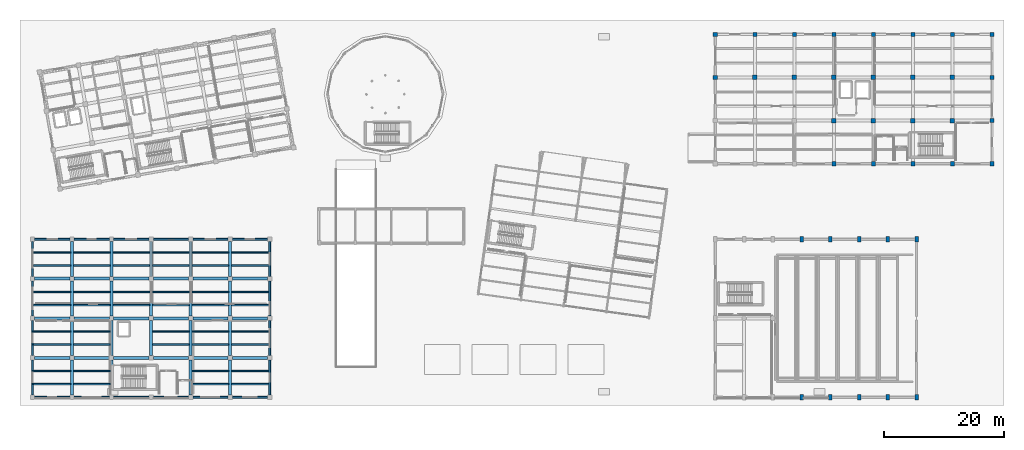
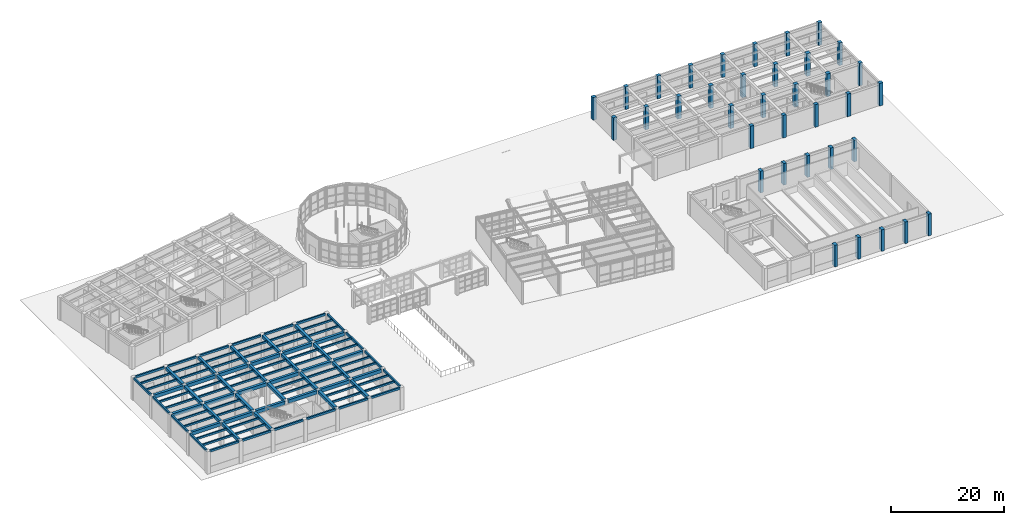
# One storey, part 10 of 57: 99 beams, 36 columns.
"""IFC4 building model written with IfcOpenShell, lengths in metres."""

from ifc_helpers import new_model, si_unit, direction, frame, origin, origin_2d, place, context, subcontext, project, spatial, rectangle, extrude, material, material_profile, profile_set, type_object, element, save


model = new_model("IFC4")

# Units and contexts
model_context = context("Model", 3, precision=1e-05, world=origin(), true_north=direction((0.0, 1.0)))
body_context = subcontext(model_context, "Body", "Model", "MODEL_VIEW")
ifc_project = project(units=[si_unit("LENGTHUNIT", "METRE"), si_unit("AREAUNIT", "SQUARE_METRE"), si_unit("VOLUMEUNIT", "CUBIC_METRE"), si_unit("PLANEANGLEUNIT", "RADIAN"), si_unit("MASSUNIT", "GRAM", prefix="KILO")], contexts=[model_context])

# Site, building, storey
site_placement = place(None, origin())
site = spatial("IfcSite", under=ifc_project, at=site_placement, CompositionType="ELEMENT")
building_placement = place(site_placement, origin())
building = spatial("IfcBuilding", under=site, at=building_placement, Name="Kharisveld Research Institute", CompositionType="ELEMENT")
storey_placement = place(building_placement, origin())
storey = spatial("IfcBuildingStorey", under=building, at=storey_placement, Name="L00", CompositionType="ELEMENT", Elevation=0.0)

# Columns
ifc_material_1 = material(Name="Concrete C40/50", Category="concrete")
ifc_material_profile_1 = material_profile(ifc_material_1, rectangle(XDim=0.60009765625, YDim=0.89990234375, at=origin_2d()))
ifc_profile_set_1 = profile_set([ifc_material_profile_1], Name="Concrete C40/50")
column_type_1 = type_object("IfcColumnType", Name="COL_RC_600x900", PredefinedType="COLUMN", material=ifc_profile_set_1)
for number, where, z_axis, x_axis, name in (
    (1, (129.0, 0.199951171875, 0.0), (0.0, 0.0, 1.0), (1.0, 0.0, 0.0), "COL:V5:L00:U3V0"),
    (2, (129.0, 26.60009765625, 0.0), (0.0, 0.0, 1.0), (1.0, 0.0, 0.0), "COL:V5:L00:U3V2"),
    (3, (133.800048828125, 0.199951171875, 0.0), (0.0, 0.0, 1.0), (1.0, 0.0, 0.0), "COL:V5:L00:U4V0"),
    (4, (133.800048828125, 26.60009765625, 0.0), (0.0, 0.0, 1.0), (1.0, 0.0, 0.0), "COL:V5:L00:U4V2"),
    (5, (138.60009765625, 0.199951171875, 0.0), (0.0, 0.0, 1.0), (1.0, 0.0, 0.0), "COL:V5:L00:U5V0"),
    (6, (138.60009765625, 26.60009765625, 0.0), (0.0, 0.0, 1.0), (1.0, 0.0, 0.0), "COL:V5:L00:U5V2"),
    (7, (143.39990234375, 0.199951171875, 0.0), (0.0, 0.0, 1.0), (1.0, 0.0, 0.0), "COL:V5:L00:U6V0"),
    (8, (143.39990234375, 26.60009765625, 0.0), (0.0, 0.0, 1.0), (1.0, 0.0, 0.0), "COL:V5:L00:U6V2"),
    (9, (148.199951171875, 0.199951171875, 0.0), (0.0, 0.0, 1.0), (1.0, 0.0, 0.0), "COL:V5:L00:U7V0"),
    (10, (148.199951171875, 26.60009765625, 0.0), (0.0, 0.0, 1.0), (1.0, 0.0, 0.0), "COL:V5:L00:U7V2"),
):
    element("IfcColumn", number, at=place(storey_placement, frame(where, z_axis=z_axis, x_axis=x_axis)), inside=storey, type_object=column_type_1, Name=name, PredefinedType="COLUMN", context=body_context, shape_type="SweptSolid", body=[
        extrude(rectangle(XDim=0.60009765625, YDim=0.89990234375, at=origin_2d()), origin(), (0.0, 0.0, 1.0), 4.679931640625),
    ])
ifc_material_2 = material(Name="Concrete C40/50", Category="concrete")
ifc_material_profile_2 = material_profile(ifc_material_2, rectangle(XDim=0.699951171875, YDim=0.699951171875, at=origin_2d()))
ifc_profile_set_2 = profile_set([ifc_material_profile_2], Name="Concrete C40/50")
column_type_2 = type_object("IfcColumnType", Name="COL_RC_700", PredefinedType="COLUMN", material=ifc_profile_set_2)
for number, where, z_axis, x_axis, name in (
    (11, (114.60009765625, 53.60009765625, 0.0), (0.0, 0.0, 1.0), (1.0, 0.0, 0.0), "COL:V2:L00:U0V2"),
    (12, (114.60009765625, 60.800048828125, 0.0), (0.0, 0.0, 1.0), (1.0, 0.0, 0.0), "COL:V2:L00:U0V3"),
    (13, (121.199951171875, 60.800048828125, 0.0), (0.0, 0.0, 1.0), (1.0, 0.0, 0.0), "COL:V2:L00:U1V3"),
    (14, (127.800048828125, 60.800048828125, 0.0), (0.0, 0.0, 1.0), (1.0, 0.0, 0.0), "COL:V2:L00:U2V3"),
    (15, (134.39990234375, 39.199951171875, 0.0), (0.0, 0.0, 1.0), (1.0, 0.0, 0.0), "COL:V2:L00:U3V0"),
    (16, (134.39990234375, 60.800048828125, 0.0), (0.0, 0.0, 1.0), (1.0, 0.0, 0.0), "COL:V2:L00:U3V3"),
    (17, (141.0, 39.199951171875, 0.0), (0.0, 0.0, 1.0), (1.0, 0.0, 0.0), "COL:V2:L00:U4V0"),
    (18, (141.0, 60.800048828125, 0.0), (0.0, 0.0, 1.0), (1.0, 0.0, 0.0), "COL:V2:L00:U4V3"),
    (19, (147.60009765625, 39.199951171875, 0.0), (0.0, 0.0, 1.0), (1.0, 0.0, 0.0), "COL:V2:L00:U5V0"),
    (20, (147.60009765625, 60.800048828125, 0.0), (0.0, 0.0, 1.0), (1.0, 0.0, 0.0), "COL:V2:L00:U5V3"),
    (21, (154.199951171875, 39.199951171875, 0.0), (0.0, 0.0, 1.0), (1.0, 0.0, 0.0), "COL:V2:L00:U6V0"),
    (22, (154.199951171875, 60.800048828125, 0.0), (0.0, 0.0, 1.0), (1.0, 0.0, 0.0), "COL:V2:L00:U6V3"),
    (23, (160.800048828125, 39.199951171875, 0.0), (0.0, 0.0, 1.0), (1.0, 0.0, 0.0), "COL:V2:L00:U7V0"),
    (24, (160.800048828125, 46.39990234375, 0.0), (0.0, 0.0, 1.0), (1.0, 0.0, 0.0), "COL:V2:L00:U7V1"),
    (25, (160.800048828125, 53.60009765625, 0.0), (0.0, 0.0, 1.0), (1.0, 0.0, 0.0), "COL:V2:L00:U7V2"),
    (26, (160.800048828125, 60.800048828125, 0.0), (0.0, 0.0, 1.0), (1.0, 0.0, 0.0), "COL:V2:L00:U7V3"),
):
    element("IfcColumn", number, at=place(storey_placement, frame(where, z_axis=z_axis, x_axis=x_axis)), inside=storey, type_object=column_type_2, Name=name, PredefinedType="COLUMN", context=body_context, shape_type="SweptSolid", body=[
        extrude(rectangle(XDim=0.699951171875, YDim=0.699951171875, at=origin_2d()), origin(), (0.0, 0.0, 1.0), 4.89990234375),
    ])
ifc_material_3 = material(Name="Concrete C50/60", Category="concrete")
ifc_material_profile_3 = material_profile(ifc_material_3, rectangle(XDim=0.75, YDim=0.75, at=origin_2d()))
ifc_profile_set_3 = profile_set([ifc_material_profile_3], Name="Concrete C50/60")
column_type_3 = type_object("IfcColumnType", Name="COL_RC_750", PredefinedType="COLUMN", material=ifc_profile_set_3)
for number, where, z_axis, x_axis, name in (
    (27, (121.199951171875, 53.60009765625, 0.0), (0.0, 0.0, 1.0), (1.0, 0.0, 0.0), "COL:V2:L00:U1V2"),
    (28, (127.800048828125, 53.60009765625, 0.0), (0.0, 0.0, 1.0), (1.0, 0.0, 0.0), "COL:V2:L00:U2V2"),
    (29, (134.39990234375, 46.39990234375, 0.0), (0.0, 0.0, 1.0), (1.0, 0.0, 0.0), "COL:V2:L00:U3V1"),
    (30, (134.39990234375, 53.60009765625, 0.0), (0.0, 0.0, 1.0), (1.0, 0.0, 0.0), "COL:V2:L00:U3V2"),
    (31, (141.0, 46.39990234375, 0.0), (0.0, 0.0, 1.0), (1.0, 0.0, 0.0), "COL:V2:L00:U4V1"),
    (32, (141.0, 53.60009765625, 0.0), (0.0, 0.0, 1.0), (1.0, 0.0, 0.0), "COL:V2:L00:U4V2"),
    (33, (147.60009765625, 46.39990234375, 0.0), (0.0, 0.0, 1.0), (1.0, 0.0, 0.0), "COL:V2:L00:U5V1"),
    (34, (147.60009765625, 53.60009765625, 0.0), (0.0, 0.0, 1.0), (1.0, 0.0, 0.0), "COL:V2:L00:U5V2"),
    (35, (154.199951171875, 46.39990234375, 0.0), (0.0, 0.0, 1.0), (1.0, 0.0, 0.0), "COL:V2:L00:U6V1"),
    (36, (154.199951171875, 53.60009765625, 0.0), (0.0, 0.0, 1.0), (1.0, 0.0, 0.0), "COL:V2:L00:U6V2"),
):
    element("IfcColumn", number, at=place(storey_placement, frame(where, z_axis=z_axis, x_axis=x_axis)), inside=storey, type_object=column_type_3, Name=name, PredefinedType="COLUMN", context=body_context, shape_type="SweptSolid", body=[
        extrude(rectangle(XDim=0.75, YDim=0.75, at=origin_2d()), origin(), (0.0, 0.0, 1.0), 4.89990234375),
    ])

# Beams
ifc_material_4 = material(Name="Concrete C40/50", Category="concrete")
ifc_material_profile_4 = material_profile(ifc_material_4, rectangle(XDim=0.5, YDim=0.64990234375, at=origin_2d()))
ifc_profile_set_4 = profile_set([ifc_material_profile_4], Name="Concrete C40/50")
beam_type_1 = type_object("IfcBeamType", Name="BM_RC_500x650", PredefinedType="BEAM", material=ifc_profile_set_4)
beam_1_placement = place(storey_placement, frame((7.199951171875, 0.550048828125, 4.554931640625), z_axis=(0.0, 1.0, 0.0), x_axis=(-1.0, 0.0, 0.0)))
element("IfcBeam", 37, at=beam_1_placement, inside=storey, type_object=beam_type_1, Name="BM:V3:L00:V1_0", PredefinedType="BEAM", context=body_context, shape_type="SweptSolid", body=[
    extrude(rectangle(XDim=0.5, YDim=0.64990234375, at=origin_2d()), origin(), (0.0, 0.0, 1.0), 5.89990234375),
])
beam_2_placement = place(storey_placement, frame((7.199951171875, 7.14990234375, 4.554931640625), z_axis=(0.0, 1.0, 0.0), x_axis=(-1.0, 0.0, 0.0)))
element("IfcBeam", 38, at=beam_2_placement, inside=storey, type_object=beam_type_1, Name="BM:V3:L00:V1_1", PredefinedType="BEAM", context=body_context, shape_type="SweptSolid", body=[
    extrude(rectangle(XDim=0.5, YDim=0.64990234375, at=origin_2d()), origin(), (0.0, 0.0, 1.0), 5.900146484375),
])
for number, where, z_axis, x_axis, name in (
    (39, (7.199951171875, 13.75, 4.554931640625), (0.0, 1.0, 0.0), (-1.0, 0.0, 0.0), "BM:V3:L00:V1_2"),
    (40, (7.199951171875, 20.35009765625, 4.554931640625), (0.0, 1.0, 0.0), (-1.0, 0.0, 0.0), "BM:V3:L00:V1_3"),
    (41, (13.800048828125, 0.550048828125, 4.554931640625), (0.0, 1.0, 0.0), (-1.0, 0.0, 0.0), "BM:V3:L00:V2_0"),
):
    element("IfcBeam", number, at=place(storey_placement, frame(where, z_axis=z_axis, x_axis=x_axis)), inside=storey, type_object=beam_type_1, Name=name, PredefinedType="BEAM", context=body_context, shape_type="SweptSolid", body=[
        extrude(rectangle(XDim=0.5, YDim=0.64990234375, at=origin_2d()), origin(), (0.0, 0.0, 1.0), 5.89990234375),
    ])
beam_3_placement = place(storey_placement, frame((13.800048828125, 7.14990234375, 4.554931640625), z_axis=(0.0, 1.0, 0.0), x_axis=(-1.0, 0.0, 0.0)))
element("IfcBeam", 42, at=beam_3_placement, inside=storey, type_object=beam_type_1, Name="BM:V3:L00:V2_1", PredefinedType="BEAM", context=body_context, shape_type="SweptSolid", body=[
    extrude(rectangle(XDim=0.5, YDim=0.64990234375, at=origin_2d()), origin(), (0.0, 0.0, 1.0), 5.900146484375),
])
for number, where, z_axis, x_axis, name in (
    (43, (13.800048828125, 13.75, 4.554931640625), (0.0, 1.0, 0.0), (-1.0, 0.0, 0.0), "BM:V3:L00:V2_2"),
    (44, (13.800048828125, 20.35009765625, 4.554931640625), (0.0, 1.0, 0.0), (-1.0, 0.0, 0.0), "BM:V3:L00:V2_3"),
):
    element("IfcBeam", number, at=place(storey_placement, frame(where, z_axis=z_axis, x_axis=x_axis)), inside=storey, type_object=beam_type_1, Name=name, PredefinedType="BEAM", context=body_context, shape_type="SweptSolid", body=[
        extrude(rectangle(XDim=0.5, YDim=0.64990234375, at=origin_2d()), origin(), (0.0, 0.0, 1.0), 5.89990234375),
    ])
beam_4_placement = place(storey_placement, frame((20.39990234375, 7.14990234375, 4.554931640625), z_axis=(0.0, 1.0, 0.0), x_axis=(-1.0, 0.0, 0.0)))
element("IfcBeam", 45, at=beam_4_placement, inside=storey, type_object=beam_type_1, Name="BM:V3:L00:V3_1", PredefinedType="BEAM", context=body_context, shape_type="SweptSolid", body=[
    extrude(rectangle(XDim=0.5, YDim=0.64990234375, at=origin_2d()), origin(), (0.0, 0.0, 1.0), 5.900146484375),
])
for number, where, z_axis, x_axis, name in (
    (46, (20.39990234375, 13.75, 4.554931640625), (0.0, 1.0, 0.0), (-1.0, 0.0, 0.0), "BM:V3:L00:V3_2"),
    (47, (20.39990234375, 20.35009765625, 4.554931640625), (0.0, 1.0, 0.0), (-1.0, 0.0, 0.0), "BM:V3:L00:V3_3"),
    (48, (27.0, 0.550048828125, 4.554931640625), (0.0, 1.0, 0.0), (-1.0, 0.0, 0.0), "BM:V3:L00:V4_0"),
):
    element("IfcBeam", number, at=place(storey_placement, frame(where, z_axis=z_axis, x_axis=x_axis)), inside=storey, type_object=beam_type_1, Name=name, PredefinedType="BEAM", context=body_context, shape_type="SweptSolid", body=[
        extrude(rectangle(XDim=0.5, YDim=0.64990234375, at=origin_2d()), origin(), (0.0, 0.0, 1.0), 5.89990234375),
    ])
beam_5_placement = place(storey_placement, frame((27.0, 7.14990234375, 4.554931640625), z_axis=(0.0, 1.0, 0.0), x_axis=(-1.0, 0.0, 0.0)))
element("IfcBeam", 49, at=beam_5_placement, inside=storey, type_object=beam_type_1, Name="BM:V3:L00:V4_1", PredefinedType="BEAM", context=body_context, shape_type="SweptSolid", body=[
    extrude(rectangle(XDim=0.5, YDim=0.64990234375, at=origin_2d()), origin(), (0.0, 0.0, 1.0), 5.900146484375),
])
for number, where, z_axis, x_axis, name in (
    (50, (27.0, 13.75, 4.554931640625), (0.0, 1.0, 0.0), (-1.0, 0.0, 0.0), "BM:V3:L00:V4_2"),
    (51, (27.0, 20.35009765625, 4.554931640625), (0.0, 1.0, 0.0), (-1.0, 0.0, 0.0), "BM:V3:L00:V4_3"),
    (52, (33.60009765625, 0.550048828125, 4.554931640625), (0.0, 1.0, 0.0), (-1.0, 0.0, 0.0), "BM:V3:L00:V5_0"),
):
    element("IfcBeam", number, at=place(storey_placement, frame(where, z_axis=z_axis, x_axis=x_axis)), inside=storey, type_object=beam_type_1, Name=name, PredefinedType="BEAM", context=body_context, shape_type="SweptSolid", body=[
        extrude(rectangle(XDim=0.5, YDim=0.64990234375, at=origin_2d()), origin(), (0.0, 0.0, 1.0), 5.89990234375),
    ])
beam_6_placement = place(storey_placement, frame((33.60009765625, 7.14990234375, 4.554931640625), z_axis=(0.0, 1.0, 0.0), x_axis=(-1.0, 0.0, 0.0)))
element("IfcBeam", 53, at=beam_6_placement, inside=storey, type_object=beam_type_1, Name="BM:V3:L00:V5_1", PredefinedType="BEAM", context=body_context, shape_type="SweptSolid", body=[
    extrude(rectangle(XDim=0.5, YDim=0.64990234375, at=origin_2d()), origin(), (0.0, 0.0, 1.0), 5.900146484375),
])
for number, where, z_axis, x_axis, name in (
    (54, (33.60009765625, 13.75, 4.554931640625), (0.0, 1.0, 0.0), (-1.0, 0.0, 0.0), "BM:V3:L00:V5_2"),
    (55, (33.60009765625, 20.35009765625, 4.554931640625), (0.0, 1.0, 0.0), (-1.0, 0.0, 0.0), "BM:V3:L00:V5_3"),
):
    element("IfcBeam", number, at=place(storey_placement, frame(where, z_axis=z_axis, x_axis=x_axis)), inside=storey, type_object=beam_type_1, Name=name, PredefinedType="BEAM", context=body_context, shape_type="SweptSolid", body=[
        extrude(rectangle(XDim=0.5, YDim=0.64990234375, at=origin_2d()), origin(), (0.0, 0.0, 1.0), 5.89990234375),
    ])
ifc_material_5 = material(Name="Concrete C40/50", Category="concrete")
ifc_material_profile_5 = material_profile(ifc_material_5, rectangle(XDim=0.5, YDim=0.75, at=origin_2d()))
ifc_profile_set_5 = profile_set([ifc_material_profile_5], Name="Concrete C40/50")
beam_type_2 = type_object("IfcBeamType", Name="BM_RC_500x750", PredefinedType="BEAM", material=ifc_profile_set_5)
beam_7_placement = place(storey_placement, frame((0.949951171875, 6.800048828125, 4.5048828125), z_axis=(1.0, 0.0, 0.0), x_axis=(0.0, 1.0, 0.0)))
element("IfcBeam", 56, at=beam_7_placement, inside=storey, type_object=beam_type_2, Name="BM:V3:L00:U0_1", PredefinedType="BEAM", context=body_context, shape_type="SweptSolid", body=[
    extrude(rectangle(XDim=0.5, YDim=0.75, at=origin_2d()), origin(), (0.0, 0.0, 1.0), 5.900146484375),
])
beam_8_placement = place(storey_placement, frame((7.550048828125, 6.800048828125, 4.5048828125), z_axis=(1.0, 0.0, 0.0), x_axis=(0.0, 1.0, 0.0)))
element("IfcBeam", 57, at=beam_8_placement, inside=storey, type_object=beam_type_2, Name="BM:V3:L00:U1_1", PredefinedType="BEAM", context=body_context, shape_type="SweptSolid", body=[
    extrude(rectangle(XDim=0.5, YDim=0.75, at=origin_2d()), origin(), (0.0, 0.0, 1.0), 5.89990234375),
])
beam_9_placement = place(storey_placement, frame((14.14990234375, 6.800048828125, 4.5048828125), z_axis=(1.0, 0.0, 0.0), x_axis=(0.0, 1.0, 0.0)))
element("IfcBeam", 58, at=beam_9_placement, inside=storey, type_object=beam_type_2, Name="BM:V3:L00:U2_1", PredefinedType="BEAM", context=body_context, shape_type="SweptSolid", body=[
    extrude(rectangle(XDim=0.5, YDim=0.75, at=origin_2d()), origin(), (0.0, 0.0, 1.0), 5.900146484375),
])
for number, where, z_axis, x_axis, name in (
    (59, (20.75, 6.800048828125, 4.5048828125), (1.0, 0.0, 0.0), (0.0, 1.0, 0.0), "BM:V3:L00:U3_1"),
    (60, (27.35009765625, 6.800048828125, 4.5048828125), (1.0, 0.0, 0.0), (0.0, 1.0, 0.0), "BM:V3:L00:U4_1"),
):
    element("IfcBeam", number, at=place(storey_placement, frame(where, z_axis=z_axis, x_axis=x_axis)), inside=storey, type_object=beam_type_2, Name=name, PredefinedType="BEAM", context=body_context, shape_type="SweptSolid", body=[
        extrude(rectangle(XDim=0.5, YDim=0.75, at=origin_2d()), origin(), (0.0, 0.0, 1.0), 5.89990234375),
    ])
for number, where, z_axis, x_axis, name in (
    (61, (33.949951171875, 6.800048828125, 4.5048828125), (1.0, 0.0, 0.0), (0.0, 1.0, 0.0), "BM:V3:L00:U5_1"),
    (62, (0.949951171875, 13.39990234375, 4.5048828125), (1.0, 0.0, 0.0), (0.0, 1.0, 0.0), "BM:V3:L00:U0_2"),
):
    element("IfcBeam", number, at=place(storey_placement, frame(where, z_axis=z_axis, x_axis=x_axis)), inside=storey, type_object=beam_type_2, Name=name, PredefinedType="BEAM", context=body_context, shape_type="SweptSolid", body=[
        extrude(rectangle(XDim=0.5, YDim=0.75, at=origin_2d()), origin(), (0.0, 0.0, 1.0), 5.900146484375),
    ])
beam_10_placement = place(storey_placement, frame((7.550048828125, 13.39990234375, 4.5048828125), z_axis=(1.0, 0.0, 0.0), x_axis=(0.0, 1.0, 0.0)))
element("IfcBeam", 63, at=beam_10_placement, inside=storey, type_object=beam_type_2, Name="BM:V3:L00:U1_2", PredefinedType="BEAM", context=body_context, shape_type="SweptSolid", body=[
    extrude(rectangle(XDim=0.5, YDim=0.75, at=origin_2d()), origin(), (0.0, 0.0, 1.0), 5.89990234375),
])
beam_11_placement = place(storey_placement, frame((14.14990234375, 13.39990234375, 4.5048828125), z_axis=(1.0, 0.0, 0.0), x_axis=(0.0, 1.0, 0.0)))
element("IfcBeam", 64, at=beam_11_placement, inside=storey, type_object=beam_type_2, Name="BM:V3:L00:U2_2", PredefinedType="BEAM", context=body_context, shape_type="SweptSolid", body=[
    extrude(rectangle(XDim=0.5, YDim=0.75, at=origin_2d()), origin(), (0.0, 0.0, 1.0), 5.900146484375),
])
for number, where, z_axis, x_axis, name in (
    (65, (20.75, 13.39990234375, 4.5048828125), (1.0, 0.0, 0.0), (0.0, 1.0, 0.0), "BM:V3:L00:U3_2"),
    (66, (27.35009765625, 13.39990234375, 4.5048828125), (1.0, 0.0, 0.0), (0.0, 1.0, 0.0), "BM:V3:L00:U4_2"),
):
    element("IfcBeam", number, at=place(storey_placement, frame(where, z_axis=z_axis, x_axis=x_axis)), inside=storey, type_object=beam_type_2, Name=name, PredefinedType="BEAM", context=body_context, shape_type="SweptSolid", body=[
        extrude(rectangle(XDim=0.5, YDim=0.75, at=origin_2d()), origin(), (0.0, 0.0, 1.0), 5.89990234375),
    ])
for number, where, z_axis, x_axis, name in (
    (67, (33.949951171875, 13.39990234375, 4.5048828125), (1.0, 0.0, 0.0), (0.0, 1.0, 0.0), "BM:V3:L00:U5_2"),
    (68, (0.949951171875, 20.0, 4.5048828125), (1.0, 0.0, 0.0), (0.0, 1.0, 0.0), "BM:V3:L00:U0_3"),
):
    element("IfcBeam", number, at=place(storey_placement, frame(where, z_axis=z_axis, x_axis=x_axis)), inside=storey, type_object=beam_type_2, Name=name, PredefinedType="BEAM", context=body_context, shape_type="SweptSolid", body=[
        extrude(rectangle(XDim=0.5, YDim=0.75, at=origin_2d()), origin(), (0.0, 0.0, 1.0), 5.900146484375),
    ])
beam_12_placement = place(storey_placement, frame((7.550048828125, 20.0, 4.5048828125), z_axis=(1.0, 0.0, 0.0), x_axis=(0.0, 1.0, 0.0)))
element("IfcBeam", 69, at=beam_12_placement, inside=storey, type_object=beam_type_2, Name="BM:V3:L00:U1_3", PredefinedType="BEAM", context=body_context, shape_type="SweptSolid", body=[
    extrude(rectangle(XDim=0.5, YDim=0.75, at=origin_2d()), origin(), (0.0, 0.0, 1.0), 5.89990234375),
])
beam_13_placement = place(storey_placement, frame((14.14990234375, 20.0, 4.5048828125), z_axis=(1.0, 0.0, 0.0), x_axis=(0.0, 1.0, 0.0)))
element("IfcBeam", 70, at=beam_13_placement, inside=storey, type_object=beam_type_2, Name="BM:V3:L00:U2_3", PredefinedType="BEAM", context=body_context, shape_type="SweptSolid", body=[
    extrude(rectangle(XDim=0.5, YDim=0.75, at=origin_2d()), origin(), (0.0, 0.0, 1.0), 5.900146484375),
])
for number, where, z_axis, x_axis, name in (
    (71, (20.75, 20.0, 4.5048828125), (1.0, 0.0, 0.0), (0.0, 1.0, 0.0), "BM:V3:L00:U3_3"),
    (72, (27.35009765625, 20.0, 4.5048828125), (1.0, 0.0, 0.0), (0.0, 1.0, 0.0), "BM:V3:L00:U4_3"),
):
    element("IfcBeam", number, at=place(storey_placement, frame(where, z_axis=z_axis, x_axis=x_axis)), inside=storey, type_object=beam_type_2, Name=name, PredefinedType="BEAM", context=body_context, shape_type="SweptSolid", body=[
        extrude(rectangle(XDim=0.5, YDim=0.75, at=origin_2d()), origin(), (0.0, 0.0, 1.0), 5.89990234375),
    ])
beam_14_placement = place(storey_placement, frame((33.949951171875, 20.0, 4.5048828125), z_axis=(1.0, 0.0, 0.0), x_axis=(0.0, 1.0, 0.0)))
element("IfcBeam", 73, at=beam_14_placement, inside=storey, type_object=beam_type_2, Name="BM:V3:L00:U5_3", PredefinedType="BEAM", context=body_context, shape_type="SweptSolid", body=[
    extrude(rectangle(XDim=0.5, YDim=0.75, at=origin_2d()), origin(), (0.0, 0.0, 1.0), 5.900146484375),
])
ifc_material_6 = material(Name="Concrete C40/50", Category="concrete")
ifc_material_profile_6 = material_profile(ifc_material_6, rectangle(XDim=0.300048828125, YDim=0.449951171875, at=origin_2d()))
ifc_profile_set_6 = profile_set([ifc_material_profile_6], Name="Concrete C40/50")
beam_type_3 = type_object("IfcBeamType", Name="SP_RC_300x450", PredefinedType="SPANDREL", material=ifc_profile_set_6)
beam_15_placement = place(storey_placement, frame((0.949951171875, 0.199951171875, 4.655029296875), z_axis=(1.0, 0.0, 0.0), x_axis=(0.0, 1.0, 0.0)))
element("IfcBeam", 74, at=beam_15_placement, inside=storey, type_object=beam_type_3, Name="BM:V3:L00:U0_0", PredefinedType="SPANDREL", context=body_context, shape_type="SweptSolid", body=[
    extrude(rectangle(XDim=0.300048828125, YDim=0.449951171875, at=origin_2d()), origin(), (0.0, 0.0, 1.0), 5.900146484375),
])
beam_16_placement = place(storey_placement, frame((7.550048828125, 0.199951171875, 4.655029296875), z_axis=(1.0, 0.0, 0.0), x_axis=(0.0, 1.0, 0.0)))
element("IfcBeam", 75, at=beam_16_placement, inside=storey, type_object=beam_type_3, Name="BM:V3:L00:U1_0", PredefinedType="SPANDREL", context=body_context, shape_type="SweptSolid", body=[
    extrude(rectangle(XDim=0.300048828125, YDim=0.449951171875, at=origin_2d()), origin(), (0.0, 0.0, 1.0), 5.89990234375),
])
beam_17_placement = place(storey_placement, frame((14.14990234375, 0.199951171875, 4.655029296875), z_axis=(1.0, 0.0, 0.0), x_axis=(0.0, 1.0, 0.0)))
element("IfcBeam", 76, at=beam_17_placement, inside=storey, type_object=beam_type_3, Name="BM:V3:L00:U2_0", PredefinedType="SPANDREL", context=body_context, shape_type="SweptSolid", body=[
    extrude(rectangle(XDim=0.300048828125, YDim=0.449951171875, at=origin_2d()), origin(), (0.0, 0.0, 1.0), 5.900146484375),
])
for number, where, z_axis, x_axis, name in (
    (77, (20.75, 0.199951171875, 4.655029296875), (1.0, 0.0, 0.0), (0.0, 1.0, 0.0), "BM:V3:L00:U3_0"),
    (78, (27.35009765625, 0.199951171875, 4.655029296875), (1.0, 0.0, 0.0), (0.0, 1.0, 0.0), "BM:V3:L00:U4_0"),
):
    element("IfcBeam", number, at=place(storey_placement, frame(where, z_axis=z_axis, x_axis=x_axis)), inside=storey, type_object=beam_type_3, Name=name, PredefinedType="SPANDREL", context=body_context, shape_type="SweptSolid", body=[
        extrude(rectangle(XDim=0.300048828125, YDim=0.449951171875, at=origin_2d()), origin(), (0.0, 0.0, 1.0), 5.89990234375),
    ])
for number, where, z_axis, x_axis, name in (
    (79, (33.949951171875, 0.199951171875, 4.655029296875), (1.0, 0.0, 0.0), (0.0, 1.0, 0.0), "BM:V3:L00:U5_0"),
    (80, (0.949951171875, 26.60009765625, 4.655029296875), (1.0, 0.0, 0.0), (0.0, 1.0, 0.0), "BM:V3:L00:U0_4"),
):
    element("IfcBeam", number, at=place(storey_placement, frame(where, z_axis=z_axis, x_axis=x_axis)), inside=storey, type_object=beam_type_3, Name=name, PredefinedType="SPANDREL", context=body_context, shape_type="SweptSolid", body=[
        extrude(rectangle(XDim=0.300048828125, YDim=0.449951171875, at=origin_2d()), origin(), (0.0, 0.0, 1.0), 5.900146484375),
    ])
beam_18_placement = place(storey_placement, frame((7.550048828125, 26.60009765625, 4.655029296875), z_axis=(1.0, 0.0, 0.0), x_axis=(0.0, 1.0, 0.0)))
element("IfcBeam", 81, at=beam_18_placement, inside=storey, type_object=beam_type_3, Name="BM:V3:L00:U1_4", PredefinedType="SPANDREL", context=body_context, shape_type="SweptSolid", body=[
    extrude(rectangle(XDim=0.300048828125, YDim=0.449951171875, at=origin_2d()), origin(), (0.0, 0.0, 1.0), 5.89990234375),
])
beam_19_placement = place(storey_placement, frame((14.14990234375, 26.60009765625, 4.655029296875), z_axis=(1.0, 0.0, 0.0), x_axis=(0.0, 1.0, 0.0)))
element("IfcBeam", 82, at=beam_19_placement, inside=storey, type_object=beam_type_3, Name="BM:V3:L00:U2_4", PredefinedType="SPANDREL", context=body_context, shape_type="SweptSolid", body=[
    extrude(rectangle(XDim=0.300048828125, YDim=0.449951171875, at=origin_2d()), origin(), (0.0, 0.0, 1.0), 5.900146484375),
])
for number, where, z_axis, x_axis, name in (
    (83, (20.75, 26.60009765625, 4.655029296875), (1.0, 0.0, 0.0), (0.0, 1.0, 0.0), "BM:V3:L00:U3_4"),
    (84, (27.35009765625, 26.60009765625, 4.655029296875), (1.0, 0.0, 0.0), (0.0, 1.0, 0.0), "BM:V3:L00:U4_4"),
):
    element("IfcBeam", number, at=place(storey_placement, frame(where, z_axis=z_axis, x_axis=x_axis)), inside=storey, type_object=beam_type_3, Name=name, PredefinedType="SPANDREL", context=body_context, shape_type="SweptSolid", body=[
        extrude(rectangle(XDim=0.300048828125, YDim=0.449951171875, at=origin_2d()), origin(), (0.0, 0.0, 1.0), 5.89990234375),
    ])
beam_20_placement = place(storey_placement, frame((33.949951171875, 26.60009765625, 4.655029296875), z_axis=(1.0, 0.0, 0.0), x_axis=(0.0, 1.0, 0.0)))
element("IfcBeam", 85, at=beam_20_placement, inside=storey, type_object=beam_type_3, Name="BM:V3:L00:U5_4", PredefinedType="SPANDREL", context=body_context, shape_type="SweptSolid", body=[
    extrude(rectangle(XDim=0.300048828125, YDim=0.449951171875, at=origin_2d()), origin(), (0.0, 0.0, 1.0), 5.900146484375),
])
beam_21_placement = place(storey_placement, frame((0.60009765625, 0.550048828125, 4.655029296875), z_axis=(0.0, 1.0, 0.0), x_axis=(-1.0, 0.0, 0.0)))
element("IfcBeam", 86, at=beam_21_placement, inside=storey, type_object=beam_type_3, Name="BM:V3:L00:V0_0", PredefinedType="SPANDREL", context=body_context, shape_type="SweptSolid", body=[
    extrude(rectangle(XDim=0.300048828125, YDim=0.449951171875, at=origin_2d()), origin(), (0.0, 0.0, 1.0), 5.89990234375),
])
beam_22_placement = place(storey_placement, frame((0.60009765625, 7.14990234375, 4.655029296875), z_axis=(0.0, 1.0, 0.0), x_axis=(-1.0, 0.0, 0.0)))
element("IfcBeam", 87, at=beam_22_placement, inside=storey, type_object=beam_type_3, Name="BM:V3:L00:V0_1", PredefinedType="SPANDREL", context=body_context, shape_type="SweptSolid", body=[
    extrude(rectangle(XDim=0.300048828125, YDim=0.449951171875, at=origin_2d()), origin(), (0.0, 0.0, 1.0), 5.900146484375),
])
for number, where, z_axis, x_axis, name in (
    (88, (0.60009765625, 13.75, 4.655029296875), (0.0, 1.0, 0.0), (-1.0, 0.0, 0.0), "BM:V3:L00:V0_2"),
    (89, (0.60009765625, 20.35009765625, 4.655029296875), (0.0, 1.0, 0.0), (-1.0, 0.0, 0.0), "BM:V3:L00:V0_3"),
    (90, (40.199951171875, 0.550048828125, 4.655029296875), (0.0, 1.0, 0.0), (-1.0, 0.0, 0.0), "BM:V3:L00:V6_0"),
):
    element("IfcBeam", number, at=place(storey_placement, frame(where, z_axis=z_axis, x_axis=x_axis)), inside=storey, type_object=beam_type_3, Name=name, PredefinedType="SPANDREL", context=body_context, shape_type="SweptSolid", body=[
        extrude(rectangle(XDim=0.300048828125, YDim=0.449951171875, at=origin_2d()), origin(), (0.0, 0.0, 1.0), 5.89990234375),
    ])
beam_23_placement = place(storey_placement, frame((40.199951171875, 7.14990234375, 4.655029296875), z_axis=(0.0, 1.0, 0.0), x_axis=(-1.0, 0.0, 0.0)))
element("IfcBeam", 91, at=beam_23_placement, inside=storey, type_object=beam_type_3, Name="BM:V3:L00:V6_1", PredefinedType="SPANDREL", context=body_context, shape_type="SweptSolid", body=[
    extrude(rectangle(XDim=0.300048828125, YDim=0.449951171875, at=origin_2d()), origin(), (0.0, 0.0, 1.0), 5.900146484375),
])
for number, where, z_axis, x_axis, name in (
    (92, (40.199951171875, 13.75, 4.655029296875), (0.0, 1.0, 0.0), (-1.0, 0.0, 0.0), "BM:V3:L00:V6_2"),
    (93, (40.199951171875, 20.35009765625, 4.655029296875), (0.0, 1.0, 0.0), (-1.0, 0.0, 0.0), "BM:V3:L00:V6_3"),
):
    element("IfcBeam", number, at=place(storey_placement, frame(where, z_axis=z_axis, x_axis=x_axis)), inside=storey, type_object=beam_type_3, Name=name, PredefinedType="SPANDREL", context=body_context, shape_type="SweptSolid", body=[
        extrude(rectangle(XDim=0.300048828125, YDim=0.449951171875, at=origin_2d()), origin(), (0.0, 0.0, 1.0), 5.89990234375),
    ])
ifc_material_7 = material(Name="Concrete C40/50", Category="concrete")
ifc_material_profile_7 = material_profile(ifc_material_7, rectangle(XDim=0.25, YDim=0.39990234375, at=origin_2d()))
ifc_profile_set_7 = profile_set([ifc_material_profile_7], Name="Concrete C40/50")
beam_type_4 = type_object("IfcBeamType", Name="WB_RC_250x400", PredefinedType="JOIST", material=ifc_profile_set_7)
for number, where, z_axis, x_axis, name in (
    (94, (0.75, 2.39990234375, 4.679931640625), (1.0, 0.0, 0.0), (0.0, 1.0, 0.0), "BM:V3:L00:J_0_0_R1"),
    (95, (0.75, 4.60009765625, 4.679931640625), (1.0, 0.0, 0.0), (0.0, 1.0, 0.0), "BM:V3:L00:J_0_0_R2"),
    (96, (0.75, 9.0, 4.679931640625), (1.0, 0.0, 0.0), (0.0, 1.0, 0.0), "BM:V3:L00:J_0_1_R1"),
    (97, (0.75, 11.199951171875, 4.679931640625), (1.0, 0.0, 0.0), (0.0, 1.0, 0.0), "BM:V3:L00:J_0_1_R2"),
    (98, (0.75, 15.60009765625, 4.679931640625), (1.0, 0.0, 0.0), (0.0, 1.0, 0.0), "BM:V3:L00:J_0_2_R1"),
    (99, (0.75, 17.800048828125, 4.679931640625), (1.0, 0.0, 0.0), (0.0, 1.0, 0.0), "BM:V3:L00:J_0_2_R2"),
    (100, (0.75, 22.199951171875, 4.679931640625), (1.0, 0.0, 0.0), (0.0, 1.0, 0.0), "BM:V3:L00:J_0_3_R1"),
    (101, (0.75, 24.39990234375, 4.679931640625), (1.0, 0.0, 0.0), (0.0, 1.0, 0.0), "BM:V3:L00:J_0_3_R2"),
):
    element("IfcBeam", number, at=place(storey_placement, frame(where, z_axis=z_axis, x_axis=x_axis)), inside=storey, type_object=beam_type_4, Name=name, PredefinedType="JOIST", context=body_context, shape_type="SweptSolid", body=[
        extrude(rectangle(XDim=0.25, YDim=0.39990234375, at=origin_2d()), origin(), (0.0, 0.0, 1.0), 6.199951171875),
    ])
for number, where, z_axis, x_axis, name in (
    (102, (7.449951171875, 2.39990234375, 4.679931640625), (1.0, 0.0, 0.0), (0.0, 1.0, 0.0), "BM:V3:L00:J_1_0_R1"),
    (103, (7.449951171875, 4.60009765625, 4.679931640625), (1.0, 0.0, 0.0), (0.0, 1.0, 0.0), "BM:V3:L00:J_1_0_R2"),
    (104, (7.449951171875, 9.0, 4.679931640625), (1.0, 0.0, 0.0), (0.0, 1.0, 0.0), "BM:V3:L00:J_1_1_R1"),
    (105, (7.449951171875, 11.199951171875, 4.679931640625), (1.0, 0.0, 0.0), (0.0, 1.0, 0.0), "BM:V3:L00:J_1_1_R2"),
    (106, (7.449951171875, 15.60009765625, 4.679931640625), (1.0, 0.0, 0.0), (0.0, 1.0, 0.0), "BM:V3:L00:J_1_2_R1"),
    (107, (7.449951171875, 17.800048828125, 4.679931640625), (1.0, 0.0, 0.0), (0.0, 1.0, 0.0), "BM:V3:L00:J_1_2_R2"),
    (108, (7.449951171875, 22.199951171875, 4.679931640625), (1.0, 0.0, 0.0), (0.0, 1.0, 0.0), "BM:V3:L00:J_1_3_R1"),
    (109, (7.449951171875, 24.39990234375, 4.679931640625), (1.0, 0.0, 0.0), (0.0, 1.0, 0.0), "BM:V3:L00:J_1_3_R2"),
):
    element("IfcBeam", number, at=place(storey_placement, frame(where, z_axis=z_axis, x_axis=x_axis)), inside=storey, type_object=beam_type_4, Name=name, PredefinedType="JOIST", context=body_context, shape_type="SweptSolid", body=[
        extrude(rectangle(XDim=0.25, YDim=0.39990234375, at=origin_2d()), origin(), (0.0, 0.0, 1.0), 6.10009765625),
    ])
for number, where, z_axis, x_axis, name in (
    (110, (14.050048828125, 15.60009765625, 4.679931640625), (1.0, 0.0, 0.0), (0.0, 1.0, 0.0), "BM:V3:L00:J_2_2_R1"),
    (111, (14.050048828125, 17.800048828125, 4.679931640625), (1.0, 0.0, 0.0), (0.0, 1.0, 0.0), "BM:V3:L00:J_2_2_R2"),
    (112, (14.050048828125, 22.199951171875, 4.679931640625), (1.0, 0.0, 0.0), (0.0, 1.0, 0.0), "BM:V3:L00:J_2_3_R1"),
    (113, (14.050048828125, 24.39990234375, 4.679931640625), (1.0, 0.0, 0.0), (0.0, 1.0, 0.0), "BM:V3:L00:J_2_3_R2"),
):
    element("IfcBeam", number, at=place(storey_placement, frame(where, z_axis=z_axis, x_axis=x_axis)), inside=storey, type_object=beam_type_4, Name=name, PredefinedType="JOIST", context=body_context, shape_type="SweptSolid", body=[
        extrude(rectangle(XDim=0.25, YDim=0.39990234375, at=origin_2d()), origin(), (0.0, 0.0, 1.0), 6.099853515625),
    ])
for number, where, z_axis, x_axis, name in (
    (114, (20.64990234375, 9.0, 4.679931640625), (1.0, 0.0, 0.0), (0.0, 1.0, 0.0), "BM:V3:L00:J_3_1_R1"),
    (115, (20.64990234375, 11.199951171875, 4.679931640625), (1.0, 0.0, 0.0), (0.0, 1.0, 0.0), "BM:V3:L00:J_3_1_R2"),
    (116, (20.64990234375, 15.60009765625, 4.679931640625), (1.0, 0.0, 0.0), (0.0, 1.0, 0.0), "BM:V3:L00:J_3_2_R1"),
    (117, (20.64990234375, 17.800048828125, 4.679931640625), (1.0, 0.0, 0.0), (0.0, 1.0, 0.0), "BM:V3:L00:J_3_2_R2"),
    (118, (20.64990234375, 22.199951171875, 4.679931640625), (1.0, 0.0, 0.0), (0.0, 1.0, 0.0), "BM:V3:L00:J_3_3_R1"),
    (119, (20.64990234375, 24.39990234375, 4.679931640625), (1.0, 0.0, 0.0), (0.0, 1.0, 0.0), "BM:V3:L00:J_3_3_R2"),
    (120, (27.25, 2.39990234375, 4.679931640625), (1.0, 0.0, 0.0), (0.0, 1.0, 0.0), "BM:V3:L00:J_4_0_R1"),
    (121, (27.25, 4.60009765625, 4.679931640625), (1.0, 0.0, 0.0), (0.0, 1.0, 0.0), "BM:V3:L00:J_4_0_R2"),
    (122, (27.25, 9.0, 4.679931640625), (1.0, 0.0, 0.0), (0.0, 1.0, 0.0), "BM:V3:L00:J_4_1_R1"),
    (123, (27.25, 11.199951171875, 4.679931640625), (1.0, 0.0, 0.0), (0.0, 1.0, 0.0), "BM:V3:L00:J_4_1_R2"),
    (124, (27.25, 15.60009765625, 4.679931640625), (1.0, 0.0, 0.0), (0.0, 1.0, 0.0), "BM:V3:L00:J_4_2_R1"),
    (125, (27.25, 17.800048828125, 4.679931640625), (1.0, 0.0, 0.0), (0.0, 1.0, 0.0), "BM:V3:L00:J_4_2_R2"),
    (126, (27.25, 22.199951171875, 4.679931640625), (1.0, 0.0, 0.0), (0.0, 1.0, 0.0), "BM:V3:L00:J_4_3_R1"),
    (127, (27.25, 24.39990234375, 4.679931640625), (1.0, 0.0, 0.0), (0.0, 1.0, 0.0), "BM:V3:L00:J_4_3_R2"),
):
    element("IfcBeam", number, at=place(storey_placement, frame(where, z_axis=z_axis, x_axis=x_axis)), inside=storey, type_object=beam_type_4, Name=name, PredefinedType="JOIST", context=body_context, shape_type="SweptSolid", body=[
        extrude(rectangle(XDim=0.25, YDim=0.39990234375, at=origin_2d()), origin(), (0.0, 0.0, 1.0), 6.10009765625),
    ])
for number, where, z_axis, x_axis, name in (
    (128, (33.85009765625, 2.39990234375, 4.679931640625), (1.0, 0.0, 0.0), (0.0, 1.0, 0.0), "BM:V3:L00:J_5_0_R1"),
    (129, (33.85009765625, 4.60009765625, 4.679931640625), (1.0, 0.0, 0.0), (0.0, 1.0, 0.0), "BM:V3:L00:J_5_0_R2"),
    (130, (33.85009765625, 9.0, 4.679931640625), (1.0, 0.0, 0.0), (0.0, 1.0, 0.0), "BM:V3:L00:J_5_1_R1"),
    (131, (33.85009765625, 11.199951171875, 4.679931640625), (1.0, 0.0, 0.0), (0.0, 1.0, 0.0), "BM:V3:L00:J_5_1_R2"),
    (132, (33.85009765625, 15.60009765625, 4.679931640625), (1.0, 0.0, 0.0), (0.0, 1.0, 0.0), "BM:V3:L00:J_5_2_R1"),
    (133, (33.85009765625, 17.800048828125, 4.679931640625), (1.0, 0.0, 0.0), (0.0, 1.0, 0.0), "BM:V3:L00:J_5_2_R2"),
    (134, (33.85009765625, 22.199951171875, 4.679931640625), (1.0, 0.0, 0.0), (0.0, 1.0, 0.0), "BM:V3:L00:J_5_3_R1"),
    (135, (33.85009765625, 24.39990234375, 4.679931640625), (1.0, 0.0, 0.0), (0.0, 1.0, 0.0), "BM:V3:L00:J_5_3_R2"),
):
    element("IfcBeam", number, at=place(storey_placement, frame(where, z_axis=z_axis, x_axis=x_axis)), inside=storey, type_object=beam_type_4, Name=name, PredefinedType="JOIST", context=body_context, shape_type="SweptSolid", body=[
        extrude(rectangle(XDim=0.25, YDim=0.39990234375, at=origin_2d()), origin(), (0.0, 0.0, 1.0), 6.199951171875),
    ])

save(model, "model.ifc")
